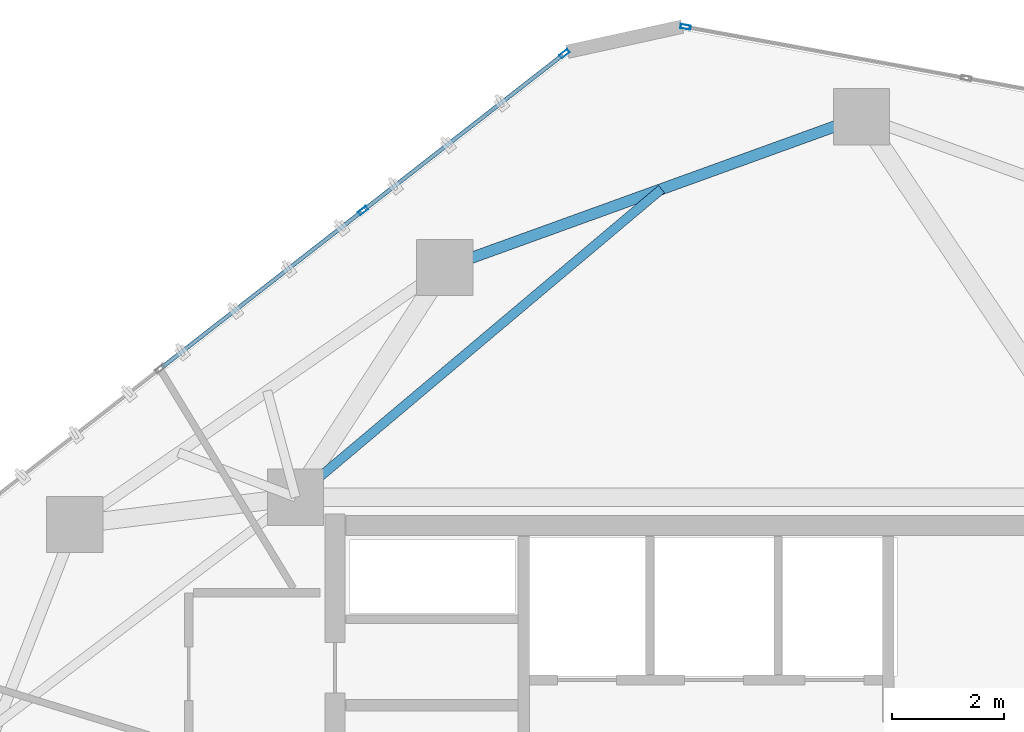
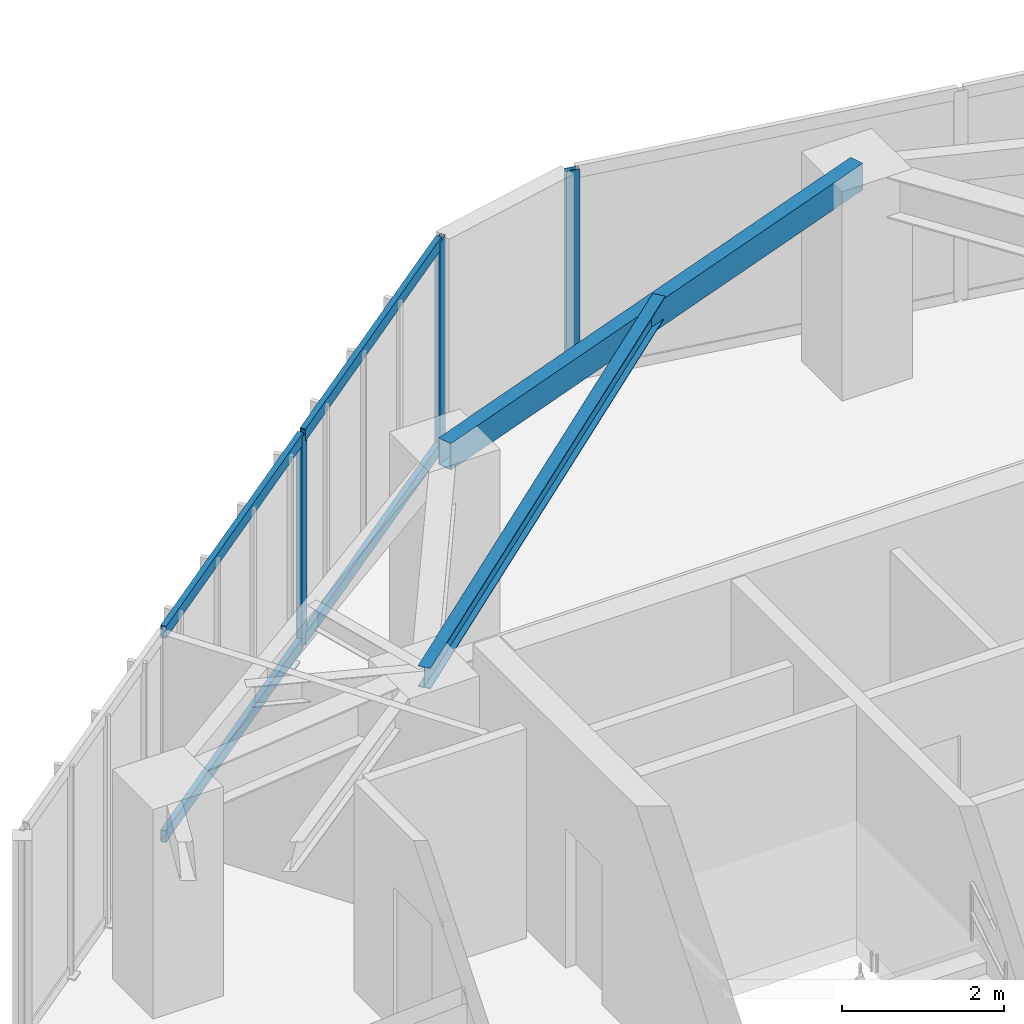
# One storey, part 14 of 21: 7 members, 2 beams, 2 elements without a shape of their own.
"""IFC4 building model written with IfcOpenShell, lengths in metres."""

import ifcopenshell
import ifcopenshell.guid

model = None  # the IFC model being written
_history = None  # IfcOwnerHistory: only IFC2X3 demands one
_inside = {}  # id of a spatial element -> (the spatial element, [elements in it])
_under = {}  # id of a project, library or spatial element -> (it, [spatial elements below it])
_declared = {}  # id of a project -> (the project, [libraries it declares])
_typed = {}  # id of a type object -> (the type object, [elements of that type])
_made_of = {}  # id of a material, layer set ... -> (it, [elements and type objects made of it])


def new_model(schema):
    """Start an empty IFC model of exactly this schema.

    Asked for "IFC4X3", IfcOpenShell would pick the latest addendum, in which some entities
    have other attributes; the version numbers below select the first issue.
    IFC2X3 requires an IfcOwnerHistory on every rooted entity: one is made here for all.
    """
    global model, _history
    if schema == "IFC4X3":
        model = ifcopenshell.file(schema_version=(4, 3, 0, 0))
    else:
        model = ifcopenshell.file(schema=schema)
    _inside.clear()
    _under.clear()
    _declared.clear()
    _typed.clear()
    _made_of.clear()
    _history = None
    if model.schema == "IFC2X3":
        org = make("IfcOrganization", Name="unknown")
        user = make(
            "IfcPersonAndOrganization",
            ThePerson=make("IfcPerson", FamilyName="unknown"),
            TheOrganization=org,
        )
        app = make(
            "IfcApplication",
            ApplicationDeveloper=org,
            Version="unknown",
            ApplicationFullName="unknown",
            ApplicationIdentifier="unknown",
        )
        _history = make(
            "IfcOwnerHistory",
            OwningUser=user,
            OwningApplication=app,
            ChangeAction="ADDED",
            CreationDate=0,
        )
    return model


def make(cls, **values):
    """One entity of the class cls with the attributes given. An attribute that is None is left unset."""
    return model.create_entity(
        cls, **{name: value for name, value in values.items() if value is not None}
    )


def rooted(cls, **values):
    """An entity with a GlobalId (a new one), such as an element, a storey or a relation."""
    return make(cls, GlobalId=ifcopenshell.guid.new(), OwnerHistory=_history, **values)


def si_unit(unit_type, name, prefix=None):
    """IfcSIUnit, for example si_unit("LENGTHUNIT", "METRE", prefix="MILLI")."""
    return make("IfcSIUnit", UnitType=unit_type, Prefix=prefix, Name=name)


def assignment(units):
    """IfcUnitAssignment: the units of a project."""
    return None if units is None else make("IfcUnitAssignment", Units=units)


def point(xyz):
    """IfcCartesianPoint."""
    return None if xyz is None else make("IfcCartesianPoint", Coordinates=xyz)


def direction(xyz):
    """IfcDirection."""
    return None if xyz is None else make("IfcDirection", DirectionRatios=xyz)


def frame(location, z_axis=None, x_axis=None):
    """IfcAxis2Placement3D, a coordinate frame: its origin and axes. An axis left out is left unset."""
    return make(
        "IfcAxis2Placement3D",
        Location=point(location),
        Axis=direction(z_axis),
        RefDirection=direction(x_axis),
    )


def frame_2d(location, x_axis=None):
    """IfcAxis2Placement2D, a coordinate frame in the plane: its origin and x axis."""
    return make(
        "IfcAxis2Placement2D", Location=point(location), RefDirection=direction(x_axis)
    )


def origin():
    """The frame at (0, 0, 0) with its axes left unset."""
    return frame((0.0, 0.0, 0.0))


def origin_2d():
    """The frame at (0, 0) in the plane with its x axis left unset."""
    return frame_2d((0.0, 0.0))


def place(relative_to, where):
    """IfcLocalPlacement: puts the frame where relative to a parent placement (None: the world)."""
    return make(
        "IfcLocalPlacement", PlacementRelTo=relative_to, RelativePlacement=where
    )


def context(
    kind, dimensions, precision=None, world=None, true_north=None, identifier=None
):
    """IfcGeometricRepresentationContext, for example the 3D "Model" context."""
    return make(
        "IfcGeometricRepresentationContext",
        ContextIdentifier=identifier,
        ContextType=kind,
        CoordinateSpaceDimension=dimensions,
        Precision=precision,
        WorldCoordinateSystem=world,
        TrueNorth=true_north,
    )


def subcontext(parent, identifier, kind, view, scale=None):
    """IfcGeometricRepresentationSubContext, for example "Body" below "Model"."""
    return make(
        "IfcGeometricRepresentationSubContext",
        ContextIdentifier=identifier,
        ContextType=kind,
        ParentContext=parent,
        TargetScale=scale,
        TargetView=view,
    )


def project(units=None, contexts=None):
    """IfcProject with its units and contexts."""
    return rooted(
        "IfcProject",
        Name="project",
        RepresentationContexts=contexts,
        UnitsInContext=assignment(units),
    )


def spatial(cls, under=None, at=None, **own):
    """A site, building, storey or space (cls), placed at a placement, below another one or the project."""
    s = rooted(cls, ObjectPlacement=at, **own)
    if under is not None:
        _under.setdefault(under.id(), (under, []))[1].append(s)
    return s


def profile(cls, at=None, kind="AREA", **sizes):
    """A parametric profile (cls). Its sizes go by their IFC names, for example OverallWidth=200.0."""
    return make(cls, ProfileType=kind, Position=at, **sizes)


def hollow_rectangle(**sizes):
    """IfcRectangleHollowProfileDef."""
    return profile("IfcRectangleHollowProfileDef", **sizes)


def i_section(**sizes):
    """IfcIShapeProfileDef."""
    return profile("IfcIShapeProfileDef", **sizes)


def extrude(swept, where, along, depth):
    """IfcExtrudedAreaSolid: the profile swept, set in the frame where, extruded along a direction by depth."""
    return make(
        "IfcExtrudedAreaSolid",
        SweptArea=swept,
        Position=where,
        ExtrudedDirection=direction(along),
        Depth=depth,
    )


def shape(context_of_items, identifier, shape_type, items):
    """IfcShapeRepresentation: the items that make up one representation, for example the "Body"."""
    return make(
        "IfcShapeRepresentation",
        ContextOfItems=context_of_items,
        RepresentationIdentifier=identifier,
        RepresentationType=shape_type,
        Items=items,
    )


def source(mapping_origin, context_of_items, identifier, shape_type, items):
    """IfcRepresentationMap: a shape defined once, which mapped items show again and again."""
    return make(
        "IfcRepresentationMap",
        MappingOrigin=mapping_origin,
        MappedRepresentation=shape(context_of_items, identifier, shape_type, items),
    )


def transform(
    local_origin,
    x_axis=None,
    y_axis=None,
    z_axis=None,
    scale=None,
    scale2=None,
    scale3=None,
    uniform=True,
):
    """IfcCartesianTransformationOperator3D, or its non-uniform kind. x_axis, y_axis, z_axis: its Axis1, 2, 3."""
    if uniform:
        return make(
            "IfcCartesianTransformationOperator3D",
            Axis1=direction(x_axis),
            Axis2=direction(y_axis),
            LocalOrigin=point(local_origin),
            Scale=scale,
            Axis3=direction(z_axis),
        )
    return make(
        "IfcCartesianTransformationOperator3DnonUniform",
        Axis1=direction(x_axis),
        Axis2=direction(y_axis),
        LocalOrigin=point(local_origin),
        Scale=scale,
        Axis3=direction(z_axis),
        Scale2=scale2,
        Scale3=scale3,
    )


def mapped(mapping_source, mapping_target):
    """IfcMappedItem: shows the shape of a source again, moved by a transform."""
    return make(
        "IfcMappedItem", MappingSource=mapping_source, MappingTarget=mapping_target
    )


def material(Name=None, Category=None):
    """IfcMaterial."""
    return make("IfcMaterial", Name=Name, Category=Category)


def layer(
    of_material, thickness, ventilated=None, Name=None, Category=None, Priority=None
):
    """IfcMaterialLayer: one layer of a wall or slab, of a material (None: an air gap)."""
    return make(
        "IfcMaterialLayer",
        Material=of_material,
        LayerThickness=thickness,
        IsVentilated=ventilated,
        Name=Name,
        Category=Category,
        Priority=Priority,
    )


def layer_set(layers, Name=None):
    """IfcMaterialLayerSet."""
    return make("IfcMaterialLayerSet", MaterialLayers=layers, LayerSetName=Name)


def material_profile(
    of_material, cross_section, Name=None, Category=None, Priority=None
):
    """IfcMaterialProfile: a cross section and its material."""
    return make(
        "IfcMaterialProfile",
        Name=Name,
        Material=of_material,
        Profile=cross_section,
        Priority=Priority,
        Category=Category,
    )


def profile_set(profiles, Name=None, composite=None):
    """IfcMaterialProfileSet."""
    return make(
        "IfcMaterialProfileSet",
        Name=Name,
        MaterialProfiles=profiles,
        CompositeProfile=composite,
    )


def made_of(thing, what):
    """Note that an element or type object is made of a material, layer set ...; save() writes the relation."""
    if what is not None:
        _made_of.setdefault(what.id(), (what, []))[1].append(thing)
    return thing


def type_object(cls, material=None, **own):
    """A type object (cls), such as IfcWallType, which elements share."""
    return made_of(rooted(cls, **own), material)


def type_shapes(of_type, sources):
    """Give a type object the sources (RepresentationMaps) that its elements show as mapped items."""
    of_type.RepresentationMaps = sources


def element(
    cls,
    number,
    at=None,
    inside=None,
    cuts=None,
    type_object=None,
    material=None,
    context=None,
    identifier="Body",
    shape_type=None,
    held_by="IfcProductDefinitionShape",
    body=None,
    shapes=None,
    **own,
):
    """One element of the class cls, such as IfcWall. Its Tag is "e" and its number.

    at: its placement. inside: the storey or other place that contains it. cuts: it is an
    opening in that element (IfcRelVoidsElement). A single representation is given by context,
    identifier, shape_type and body (its items); several are given by shapes. held_by: the class
    of the entity that holds the representations. save() writes the other relations.
    """
    e = rooted(cls, Tag="e%d" % number, ObjectPlacement=at, **own)
    if body is not None:
        shapes = [shape(context, identifier, shape_type, body)]
    if shapes is not None:
        e.Representation = make(held_by, Representations=shapes)
    if inside is not None:
        _inside.setdefault(inside.id(), (inside, []))[1].append(e)
    if cuts is not None:
        rooted(
            "IfcRelVoidsElement", RelatingBuildingElement=cuts, RelatedOpeningElement=e
        )
    if type_object is not None:
        _typed.setdefault(type_object.id(), (type_object, []))[1].append(e)
    return made_of(e, material)


def aggregate(whole, parts):
    """IfcRelAggregates: a whole, such as a stair, and the parts it consists of."""
    return rooted("IfcRelAggregates", RelatingObject=whole, RelatedObjects=parts)


def save(model, path):
    """Write the relations noted so far, then the file.

    IfcRelAggregates (storeys below a building ...), IfcRelContainedInSpatialStructure (elements
    in a storey), IfcRelDefinesByType, IfcRelAssociatesMaterial and IfcRelDeclares: one each for
    every whole, place, type object, material and project.
    """
    for whole, parts in _under.values():
        aggregate(whole, parts)
    for where, things in _inside.values():
        rooted(
            "IfcRelContainedInSpatialStructure",
            RelatedElements=things,
            RelatingStructure=where,
        )
    for kind, things in _typed.values():
        rooted("IfcRelDefinesByType", RelatedObjects=things, RelatingType=kind)
    for what, things in _made_of.values():
        rooted("IfcRelAssociatesMaterial", RelatedObjects=things, RelatingMaterial=what)
    for by, libraries in _declared.values():
        rooted("IfcRelDeclares", RelatingContext=by, RelatedDefinitions=libraries)
    model.write(path)


model = new_model("IFC4")

# Units and contexts
model_context = context("Model", 3, precision=1e-05, world=origin(), true_north=direction((0.0, 1.0)))
body_context = subcontext(model_context, "Body", "Model", "MODEL_VIEW")
ifc_project = project(units=[si_unit("LENGTHUNIT", "METRE"), si_unit("AREAUNIT", "SQUARE_METRE"), si_unit("VOLUMEUNIT", "CUBIC_METRE"), si_unit("PLANEANGLEUNIT", "RADIAN"), si_unit("MASSUNIT", "GRAM", prefix="KILO")], contexts=[model_context])

# Site, building, storey
site_placement = place(None, origin())
site = spatial("IfcSite", under=ifc_project, at=site_placement, CompositionType="ELEMENT")
building_placement = place(site_placement, origin())
building = spatial("IfcBuilding", under=site, at=building_placement, Name="Talar Marvaseh", CompositionType="ELEMENT")
storey_placement = place(building_placement, frame((0.0, 0.0, 232.699951171875)))
storey = spatial("IfcBuildingStorey", under=building, at=storey_placement, Name="L61", CompositionType="ELEMENT", Elevation=232.699951171875)

# Beams
ifc_material_1 = material(Name="Steel S355", Category="steel")
ifc_material_profile_1 = material_profile(ifc_material_1, hollow_rectangle(XDim=0.199951171875, YDim=0.39990234375, WallThickness=0.013916015625, at=origin_2d()), Name="RHS400x200x14")
ifc_profile_set_1 = profile_set([ifc_material_profile_1], Name="Steel S355")
beam_type_1 = type_object("IfcBeamType", Name="Zone 3 Perimeter Spandrel Beam RHS400x200x14", PredefinedType="SPANDREL", material=ifc_profile_set_1)
beam_1_placement = place(storey_placement, frame((21.35205078125, 40.986083984375, 2.949951171875), z_axis=(0.940368006783, 0.340158803824, 0.0), x_axis=(-0.340158803824, 0.940368006783, 0.0)))
element("IfcBeam", 1, at=beam_1_placement, inside=storey, type_object=beam_type_1, Name="L61 Zone 3 Perimeter Spandrel Beam RHS400x200x14", PredefinedType="SPANDREL", context=body_context, shape_type="SweptSolid", body=[
    extrude(hollow_rectangle(XDim=0.199951171875, YDim=0.39990234375, WallThickness=0.013916015625, at=origin_2d()), origin(), (0.0, 0.0, 1.0), 7.88427734375),
])
ifc_material_profile_2 = material_profile(ifc_material_1, i_section(OverallWidth=0.166015625, OverallDepth=0.31298828125, WebThickness=0.006591796875, FlangeThickness=0.01123046875, at=origin_2d()), Name="W310x45")
ifc_profile_set_2 = profile_set([ifc_material_profile_2], Name="Steel S355")
beam_type_2 = type_object("IfcBeamType", Name="Zone 3 Secondary Floor Joist W310x45", PredefinedType="JOIST", material=ifc_profile_set_2)
beam_2_placement = place(storey_placement, frame((25.207275390625, 42.380615234375, 2.99365234375), z_axis=(-0.76486133839, -0.644194949558, 0.0), x_axis=(0.644194949558, -0.76486133839, 0.0)))
element("IfcBeam", 2, at=beam_2_placement, inside=storey, type_object=beam_type_2, Name="L61 Zone 3 Secondary Floor Joist W310x45", PredefinedType="JOIST", context=body_context, shape_type="SweptSolid", body=[
    extrude(i_section(OverallWidth=0.166015625, OverallDepth=0.31298828125, WebThickness=0.006591796875, FlangeThickness=0.01123046875, at=origin_2d()), origin(), (0.0, 0.0, 1.0), 8.5078125),
])

# Curtain wall, members
ifc_material_2 = material(Name="Architectural Aluminium", Category="aluminium")
ifc_layer = layer(ifc_material_2, 0.18994140625)
ifc_layer_set = layer_set([ifc_layer], Name="Architectural Aluminium")
curtain_wall_type = type_object("IfcCurtainWallType", Name="Unitised Solar Atelier Curtain Wall Z3", PredefinedType="NOTDEFINED", material=ifc_layer_set)
curtain_wall_1_placement = place(storey_placement, origin())
curtain_wall_1 = element("IfcCurtainWall", 3, at=curtain_wall_1_placement, inside=storey, type_object=curtain_wall_type, Name="L61 Unitised Solar Atelier Curtain Wall Z3", PredefinedType="NOTDEFINED")
ifc_material_profile_3 = material_profile(ifc_material_2, hollow_rectangle(XDim=0.074951171875, YDim=0.179931640625, WallThickness=0.0048828125, at=origin_2d()), Name="RHS180x75x5")
ifc_profile_set_3 = profile_set([ifc_material_profile_3], Name="Architectural Aluminium")
member_type_1 = type_object("IfcMemberType", Name="Unitised Curtain Wall Transom RHS180x75x5", PredefinedType="USERDEFINED", material=ifc_profile_set_3)
shared_shape_1 = source(origin(), body_context, "Body", "SweptSolid", [
    extrude(hollow_rectangle(XDim=0.074951171875, YDim=0.179931640625, WallThickness=0.0048828125, at=origin_2d()), origin(), (0.0, 0.0, 1.0), 4.502197265625),
])
member_1_placement = place(storey_placement, frame((16.32080078125, 39.208984375, 0.03759765625), z_axis=(0.788741557475, 0.614724942972, 0.0), x_axis=(-0.614724942972, 0.788741557475, 0.0)))
member_1 = element("IfcMember", 4, at=member_1_placement, type_object=member_type_1, Name="CW-Z3 transom 2.1", ObjectType="TRANSOM", PredefinedType="USERDEFINED", context=body_context, shape_type="MappedRepresentation", body=[
    mapped(shared_shape_1, transform((0.0, 0.0, 0.0), x_axis=(1.0, 0.0, 0.0), y_axis=(0.0, 1.0, 0.0), z_axis=(0.0, 0.0, 1.0), scale=1.0)),
])
member_2_placement = place(storey_placement, frame((16.32080078125, 39.208984375, 3.112548828125), z_axis=(0.788741557475, 0.614724942972, 0.0), x_axis=(-0.614724942972, 0.788741557475, 0.0)))
member_2 = element("IfcMember", 5, at=member_2_placement, type_object=member_type_1, Name="CW-Z3 transom 2.2", ObjectType="TRANSOM", PredefinedType="USERDEFINED", context=body_context, shape_type="MappedRepresentation", body=[
    mapped(shared_shape_1, transform((0.0, 0.0, 0.0), x_axis=(1.0, 0.0, 0.0), y_axis=(0.0, 1.0, 0.0), z_axis=(0.0, 0.0, 1.0), scale=1.0)),
])
shared_shape_2 = source(origin(), body_context, "Body", "SweptSolid", [
    extrude(hollow_rectangle(XDim=0.074951171875, YDim=0.179931640625, WallThickness=0.0048828125, at=origin_2d()), origin(), (0.0, 0.0, 1.0), 4.46484375),
])
type_shapes(member_type_1, [shared_shape_1, shared_shape_2])
member_3_placement = place(storey_placement, frame((19.93115234375, 42.022705078125, 0.03759765625), z_axis=(0.788733489557, 0.61473529462, 0.0), x_axis=(-0.61473529462, 0.788733489557, 0.0)))
member_3 = element("IfcMember", 6, at=member_3_placement, type_object=member_type_1, Name="CW-Z3 transom 3.1", ObjectType="TRANSOM", PredefinedType="USERDEFINED", context=body_context, shape_type="MappedRepresentation", body=[
    mapped(shared_shape_2, transform((0.0, 0.0, 0.0), x_axis=(1.0, 0.0, 0.0), y_axis=(0.0, 1.0, 0.0), z_axis=(0.0, 0.0, 1.0), scale=1.0)),
])
member_4_placement = place(storey_placement, frame((19.93115234375, 42.022705078125, 3.112548828125), z_axis=(0.788733489557, 0.61473529462, 0.0), x_axis=(-0.61473529462, 0.788733489557, 0.0)))
member_4 = element("IfcMember", 7, at=member_4_placement, type_object=member_type_1, Name="CW-Z3 transom 3.2", ObjectType="TRANSOM", PredefinedType="USERDEFINED", context=body_context, shape_type="MappedRepresentation", body=[
    mapped(shared_shape_2, transform((0.0, 0.0, 0.0), x_axis=(1.0, 0.0, 0.0), y_axis=(0.0, 1.0, 0.0), z_axis=(0.0, 0.0, 1.0), scale=1.0)),
])
ifc_material_profile_4 = material_profile(ifc_material_2, hollow_rectangle(XDim=0.074951171875, YDim=0.179931640625, WallThickness=0.0048828125, at=origin_2d()), Name="RHS180x75x5")
ifc_profile_set_4 = profile_set([ifc_material_profile_4], Name="Architectural Aluminium")
member_type_2 = type_object("IfcMemberType", Name="Unitised Curtain Wall Standard Mullion RHS180x75x5", PredefinedType="MULLION", material=ifc_profile_set_4)
shared_shape_3 = source(origin(), body_context, "Body", "SweptSolid", [
    extrude(hollow_rectangle(XDim=0.074951171875, YDim=0.179931640625, WallThickness=0.0048828125, at=origin_2d()), origin(), (0.0, 0.0, 1.0), 3.150146484375),
])
type_shapes(member_type_2, [shared_shape_3])
member_5_placement = place(storey_placement, frame((19.9013671875, 41.999755859375, 0.0), z_axis=(0.0, 0.0, 1.0), x_axis=(-0.614730840218, 0.788736961277, 0.0)))
member_5 = element("IfcMember", 8, at=member_5_placement, type_object=member_type_2, Name="CW-Z3 mullion 3", PredefinedType="MULLION", context=body_context, shape_type="MappedRepresentation", body=[
    mapped(shared_shape_3, transform((0.0, 0.0, 0.0), x_axis=(1.0, 0.0, 0.0), y_axis=(0.0, 1.0, 0.0), z_axis=(0.0, 0.0, 1.0), scale=1.0)),
])
member_6_placement = place(storey_placement, frame((23.482177734375, 44.79052734375, 0.0), z_axis=(0.0, 0.0, 1.0), x_axis=(-0.614730840218, 0.788736961277, 0.0)))
member_6 = element("IfcMember", 9, at=member_6_placement, type_object=member_type_2, Name="CW-Z3 mullion 4", PredefinedType="MULLION", context=body_context, shape_type="MappedRepresentation", body=[
    mapped(shared_shape_3, transform((0.0, 0.0, 0.0), x_axis=(1.0, 0.0, 0.0), y_axis=(0.0, 1.0, 0.0), z_axis=(0.0, 0.0, 1.0), scale=1.0)),
])
aggregate(curtain_wall_1, [member_5, member_6, member_1, member_2, member_3, member_4])

# Curtain wall, member
curtain_wall_2_placement = place(storey_placement, origin())
curtain_wall_2 = element("IfcCurtainWall", 10, at=curtain_wall_2_placement, inside=storey, type_object=curtain_wall_type, Name="L61 Unitised Solar Atelier Curtain Wall Z3", PredefinedType="NOTDEFINED")
member_7_placement = place(storey_placement, frame((25.636474609375, 45.265869140625, 0.0), z_axis=(0.0, 0.0, 1.0), x_axis=(0.17959448616, 0.983740728312, 0.0)))
member_7 = element("IfcMember", 11, at=member_7_placement, type_object=member_type_2, Name="CW-Z3 mullion 1", PredefinedType="MULLION", context=body_context, shape_type="MappedRepresentation", body=[
    mapped(shared_shape_3, transform((0.0, 0.0, 0.0), x_axis=(1.0, 0.0, 0.0), y_axis=(0.0, 1.0, 0.0), z_axis=(0.0, 0.0, 1.0), scale=1.0)),
])
aggregate(curtain_wall_2, [member_7])

save(model, "model.ifc")
